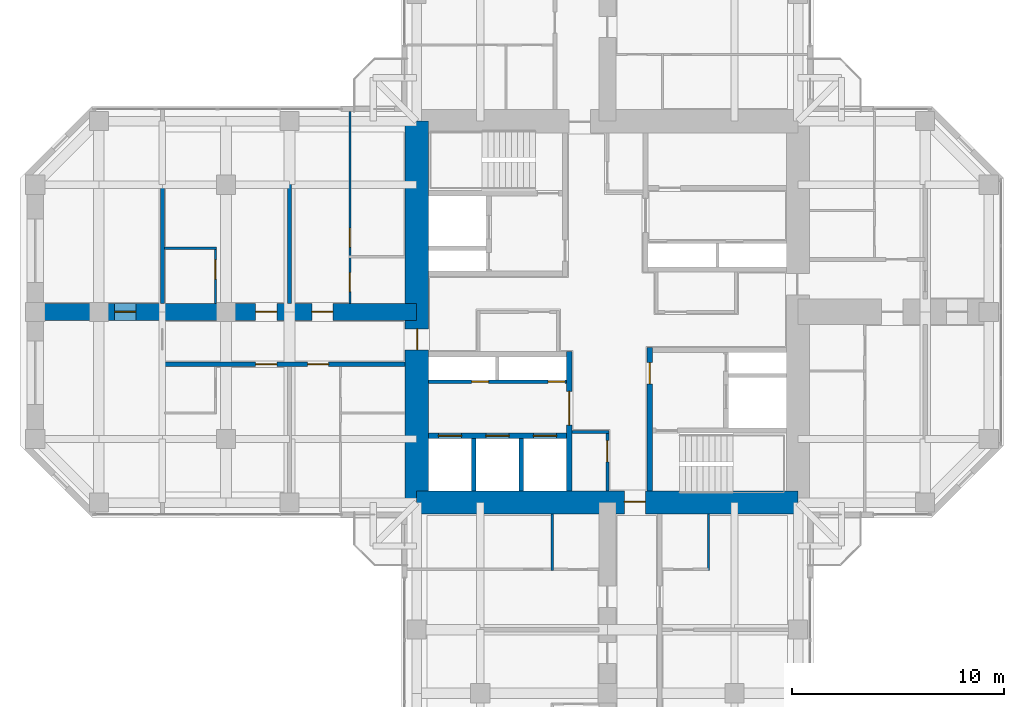
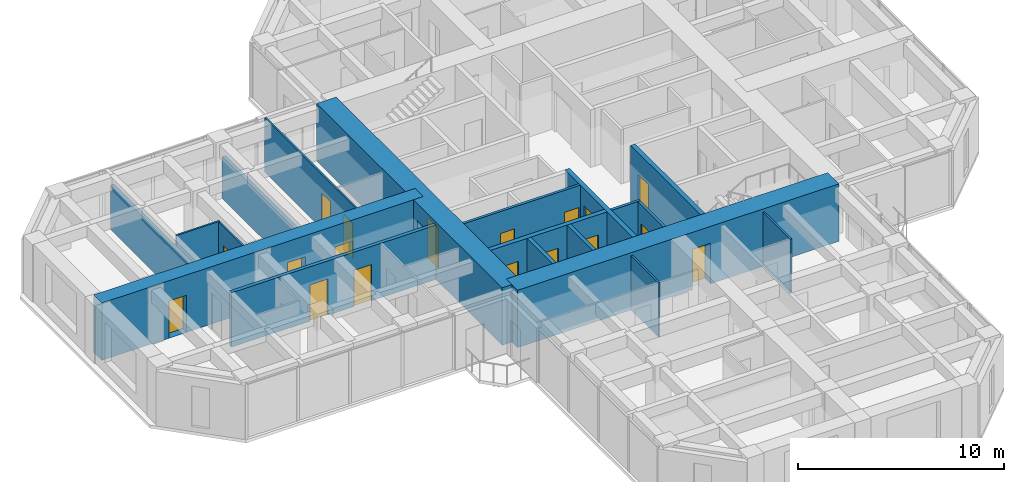
# One storey, part 9 of 14: 19 walls, 18 doors, 18 openings.
"""IFC4 building model written with IfcOpenShell, lengths in metres."""

import ifcopenshell
import ifcopenshell.guid

model = None  # the IFC model being written
_history = None  # IfcOwnerHistory: only IFC2X3 demands one
_inside = {}  # id of a spatial element -> (the spatial element, [elements in it])
_under = {}  # id of a project, library or spatial element -> (it, [spatial elements below it])
_declared = {}  # id of a project -> (the project, [libraries it declares])
_typed = {}  # id of a type object -> (the type object, [elements of that type])
_made_of = {}  # id of a material, layer set ... -> (it, [elements and type objects made of it])


def new_model(schema):
    """Start an empty IFC model of exactly this schema.

    Asked for "IFC4X3", IfcOpenShell would pick the latest addendum, in which some entities
    have other attributes; the version numbers below select the first issue.
    IFC2X3 requires an IfcOwnerHistory on every rooted entity: one is made here for all.
    """
    global model, _history
    if schema == "IFC4X3":
        model = ifcopenshell.file(schema_version=(4, 3, 0, 0))
    else:
        model = ifcopenshell.file(schema=schema)
    _inside.clear()
    _under.clear()
    _declared.clear()
    _typed.clear()
    _made_of.clear()
    _history = None
    if model.schema == "IFC2X3":
        org = make("IfcOrganization", Name="unknown")
        user = make(
            "IfcPersonAndOrganization",
            ThePerson=make("IfcPerson", FamilyName="unknown"),
            TheOrganization=org,
        )
        app = make(
            "IfcApplication",
            ApplicationDeveloper=org,
            Version="unknown",
            ApplicationFullName="unknown",
            ApplicationIdentifier="unknown",
        )
        _history = make(
            "IfcOwnerHistory",
            OwningUser=user,
            OwningApplication=app,
            ChangeAction="ADDED",
            CreationDate=0,
        )
    return model


def make(cls, **values):
    """One entity of the class cls with the attributes given. An attribute that is None is left unset."""
    return model.create_entity(
        cls, **{name: value for name, value in values.items() if value is not None}
    )


def rooted(cls, **values):
    """An entity with a GlobalId (a new one), such as an element, a storey or a relation."""
    return make(cls, GlobalId=ifcopenshell.guid.new(), OwnerHistory=_history, **values)


def si_unit(unit_type, name, prefix=None):
    """IfcSIUnit, for example si_unit("LENGTHUNIT", "METRE", prefix="MILLI")."""
    return make("IfcSIUnit", UnitType=unit_type, Prefix=prefix, Name=name)


def assignment(units):
    """IfcUnitAssignment: the units of a project."""
    return None if units is None else make("IfcUnitAssignment", Units=units)


def point(xyz):
    """IfcCartesianPoint."""
    return None if xyz is None else make("IfcCartesianPoint", Coordinates=xyz)


def direction(xyz):
    """IfcDirection."""
    return None if xyz is None else make("IfcDirection", DirectionRatios=xyz)


def frame(location, z_axis=None, x_axis=None):
    """IfcAxis2Placement3D, a coordinate frame: its origin and axes. An axis left out is left unset."""
    return make(
        "IfcAxis2Placement3D",
        Location=point(location),
        Axis=direction(z_axis),
        RefDirection=direction(x_axis),
    )


def frame_2d(location, x_axis=None):
    """IfcAxis2Placement2D, a coordinate frame in the plane: its origin and x axis."""
    return make(
        "IfcAxis2Placement2D", Location=point(location), RefDirection=direction(x_axis)
    )


def origin():
    """The frame at (0, 0, 0) with its axes left unset."""
    return frame((0.0, 0.0, 0.0))


def place(relative_to, where):
    """IfcLocalPlacement: puts the frame where relative to a parent placement (None: the world)."""
    return make(
        "IfcLocalPlacement", PlacementRelTo=relative_to, RelativePlacement=where
    )


def context(
    kind, dimensions, precision=None, world=None, true_north=None, identifier=None
):
    """IfcGeometricRepresentationContext, for example the 3D "Model" context."""
    return make(
        "IfcGeometricRepresentationContext",
        ContextIdentifier=identifier,
        ContextType=kind,
        CoordinateSpaceDimension=dimensions,
        Precision=precision,
        WorldCoordinateSystem=world,
        TrueNorth=true_north,
    )


def subcontext(parent, identifier, kind, view, scale=None):
    """IfcGeometricRepresentationSubContext, for example "Body" below "Model"."""
    return make(
        "IfcGeometricRepresentationSubContext",
        ContextIdentifier=identifier,
        ContextType=kind,
        ParentContext=parent,
        TargetScale=scale,
        TargetView=view,
    )


def project(units=None, contexts=None):
    """IfcProject with its units and contexts."""
    return rooted(
        "IfcProject",
        Name="project",
        RepresentationContexts=contexts,
        UnitsInContext=assignment(units),
    )


def spatial(cls, under=None, at=None, **own):
    """A site, building, storey or space (cls), placed at a placement, below another one or the project."""
    s = rooted(cls, ObjectPlacement=at, **own)
    if under is not None:
        _under.setdefault(under.id(), (under, []))[1].append(s)
    return s


def profile(cls, at=None, kind="AREA", **sizes):
    """A parametric profile (cls). Its sizes go by their IFC names, for example OverallWidth=200.0."""
    return make(cls, ProfileType=kind, Position=at, **sizes)


def rectangle(**sizes):
    """IfcRectangleProfileDef."""
    return profile("IfcRectangleProfileDef", **sizes)


def extrude(swept, where, along, depth):
    """IfcExtrudedAreaSolid: the profile swept, set in the frame where, extruded along a direction by depth."""
    return make(
        "IfcExtrudedAreaSolid",
        SweptArea=swept,
        Position=where,
        ExtrudedDirection=direction(along),
        Depth=depth,
    )


def shape(context_of_items, identifier, shape_type, items):
    """IfcShapeRepresentation: the items that make up one representation, for example the "Body"."""
    return make(
        "IfcShapeRepresentation",
        ContextOfItems=context_of_items,
        RepresentationIdentifier=identifier,
        RepresentationType=shape_type,
        Items=items,
    )


def material(Name=None, Category=None):
    """IfcMaterial."""
    return make("IfcMaterial", Name=Name, Category=Category)


def layer(
    of_material, thickness, ventilated=None, Name=None, Category=None, Priority=None
):
    """IfcMaterialLayer: one layer of a wall or slab, of a material (None: an air gap)."""
    return make(
        "IfcMaterialLayer",
        Material=of_material,
        LayerThickness=thickness,
        IsVentilated=ventilated,
        Name=Name,
        Category=Category,
        Priority=Priority,
    )


def layer_set(layers, Name=None):
    """IfcMaterialLayerSet."""
    return make("IfcMaterialLayerSet", MaterialLayers=layers, LayerSetName=Name)


def constituent(of_material, Name=None, Category=None, fraction=None):
    """IfcMaterialConstituent: one of the materials an element consists of."""
    return make(
        "IfcMaterialConstituent",
        Name=Name,
        Material=of_material,
        Fraction=fraction,
        Category=Category,
    )


def constituent_set(constituents=None, Name=None):
    """IfcMaterialConstituentSet."""
    return make(
        "IfcMaterialConstituentSet", Name=Name, MaterialConstituents=constituents
    )


def made_of(thing, what):
    """Note that an element or type object is made of a material, layer set ...; save() writes the relation."""
    if what is not None:
        _made_of.setdefault(what.id(), (what, []))[1].append(thing)
    return thing


def type_object(cls, material=None, **own):
    """A type object (cls), such as IfcWallType, which elements share."""
    return made_of(rooted(cls, **own), material)


def element(
    cls,
    number,
    at=None,
    inside=None,
    cuts=None,
    type_object=None,
    material=None,
    context=None,
    identifier="Body",
    shape_type=None,
    held_by="IfcProductDefinitionShape",
    body=None,
    shapes=None,
    **own,
):
    """One element of the class cls, such as IfcWall. Its Tag is "e" and its number.

    at: its placement. inside: the storey or other place that contains it. cuts: it is an
    opening in that element (IfcRelVoidsElement). A single representation is given by context,
    identifier, shape_type and body (its items); several are given by shapes. held_by: the class
    of the entity that holds the representations. save() writes the other relations.
    """
    e = rooted(cls, Tag="e%d" % number, ObjectPlacement=at, **own)
    if body is not None:
        shapes = [shape(context, identifier, shape_type, body)]
    if shapes is not None:
        e.Representation = make(held_by, Representations=shapes)
    if inside is not None:
        _inside.setdefault(inside.id(), (inside, []))[1].append(e)
    if cuts is not None:
        rooted(
            "IfcRelVoidsElement", RelatingBuildingElement=cuts, RelatedOpeningElement=e
        )
    if type_object is not None:
        _typed.setdefault(type_object.id(), (type_object, []))[1].append(e)
    return made_of(e, material)


def fill(opening, filler):
    """IfcRelFillsElement: the door or window that sits in an opening."""
    return rooted(
        "IfcRelFillsElement",
        RelatingOpeningElement=opening,
        RelatedBuildingElement=filler,
    )


def aggregate(whole, parts):
    """IfcRelAggregates: a whole, such as a stair, and the parts it consists of."""
    return rooted("IfcRelAggregates", RelatingObject=whole, RelatedObjects=parts)


def save(model, path):
    """Write the relations noted so far, then the file.

    IfcRelAggregates (storeys below a building ...), IfcRelContainedInSpatialStructure (elements
    in a storey), IfcRelDefinesByType, IfcRelAssociatesMaterial and IfcRelDeclares: one each for
    every whole, place, type object, material and project.
    """
    for whole, parts in _under.values():
        aggregate(whole, parts)
    for where, things in _inside.values():
        rooted(
            "IfcRelContainedInSpatialStructure",
            RelatedElements=things,
            RelatingStructure=where,
        )
    for kind, things in _typed.values():
        rooted("IfcRelDefinesByType", RelatedObjects=things, RelatingType=kind)
    for what, things in _made_of.values():
        rooted("IfcRelAssociatesMaterial", RelatedObjects=things, RelatingMaterial=what)
    for by, libraries in _declared.values():
        rooted("IfcRelDeclares", RelatingContext=by, RelatedDefinitions=libraries)
    model.write(path)


model = new_model("IFC4")

# Units and contexts
model_context = context("Model", 3, precision=1e-05, world=origin(), true_north=direction((0.0, 1.0)))
body_context = subcontext(model_context, "Body", "Model", "MODEL_VIEW")
ifc_project = project(units=[si_unit("LENGTHUNIT", "METRE"), si_unit("AREAUNIT", "SQUARE_METRE"), si_unit("VOLUMEUNIT", "CUBIC_METRE"), si_unit("PLANEANGLEUNIT", "RADIAN"), si_unit("MASSUNIT", "GRAM", prefix="KILO")], contexts=[model_context])

# Site, building, storey
site_placement = place(None, origin())
site = spatial("IfcSite", under=ifc_project, at=site_placement, CompositionType="ELEMENT")
building_placement = place(site_placement, origin())
building = spatial("IfcBuilding", under=site, at=building_placement, Name="Torre Cruceta", CompositionType="ELEMENT")
storey_placement = place(building_placement, frame((0.0, 0.0, 183.10009765625)))
storey = spatial("IfcBuildingStorey", under=building, at=storey_placement, Name="L45", CompositionType="ELEMENT", Elevation=183.10009765625)

# Walls
ifc_material_1 = material(Name="Water-resistant plasterboard on steel studs", Category="steel")
ifc_layer_1 = layer(ifc_material_1, 0.10009765625)
ifc_layer_set_1 = layer_set([ifc_layer_1], Name="Water-resistant plasterboard on steel studs")
wall_type_1 = type_object("IfcWallType", Name="BATHROOM WALL 100", PredefinedType="PARTITIONING", material=ifc_layer_set_1)
for number, where, z_axis, x_axis, name in (
    (1, (4.77490234375, -9.550048828125, 0.0), (0.0, 0.0, 1.0), (0.0, -1.0, 0.0), "PT4 L45-S-U1LBB"),
    (2, (-2.60009765625, -9.550048828125, 0.0), (0.0, 0.0, 1.0), (0.0, -1.0, 0.0), "PT4 L45-S-U1RBB"),
):
    element("IfcWall", number, at=place(storey_placement, frame(where, z_axis=z_axis, x_axis=x_axis)), inside=storey, type_object=wall_type_1, Name=name, PredefinedType="PARTITIONING", context=body_context, shape_type="SweptSolid", body=[
        extrude(rectangle(XDim=2.64990234375, YDim=0.10009765625, at=frame_2d((1.324951171875, 0.0))), origin(), (0.0, 0.0, 1.0), 3.219970703125),
    ])

# Wall, openings, doors
wall_1_placement = place(storey_placement, frame((-12.14990234375, 9.445068359375, 0.0), z_axis=(0.0, 0.0, 1.0), x_axis=(0.0, -1.0, 0.0)))
wall_1 = element("IfcWall", 3, at=wall_1_placement, inside=storey, type_object=wall_type_1, Name="PT4 L45-W-U1RBS", PredefinedType="PARTITIONING", context=body_context, shape_type="SweptSolid", body=[
    extrude(rectangle(XDim=9.045166015625, YDim=0.10009765625, at=frame_2d((4.5224609375, 0.0))), origin(), (0.0, 0.0, 1.0), 3.219970703125),
])
opening_1_placement = place(wall_1_placement, frame((5.4951171875, 0.0, 0.0)))
opening_1 = element("IfcOpeningElement", 4, at=opening_1_placement, cuts=wall_1, Name="Opening D7", PredefinedType="OPENING", context=body_context, shape_type="SweptSolid", body=[
    extrude(rectangle(XDim=0.89990234375, YDim=2.10009765625, at=frame_2d((0.449951171875, 1.050048828125))), frame((0.0, 0.06005859375, 0.0), z_axis=(0.0, -1.0, 0.0), x_axis=(1.0, 0.0, 0.0)), (0.0, 0.0, 1.0), 0.1201171875),
])
opening_2_placement = place(wall_1_placement, frame((7.594970703125, 0.0, 0.0)))
opening_2 = element("IfcOpeningElement", 5, at=opening_2_placement, cuts=wall_1, Name="Opening D7", PredefinedType="OPENING", context=body_context, shape_type="SweptSolid", body=[
    extrude(rectangle(XDim=0.89990234375, YDim=2.10009765625, at=frame_2d((0.449951171875, 1.050048828125))), frame((0.0, 0.06005859375, 0.0), z_axis=(0.0, -1.0, 0.0), x_axis=(1.0, 0.0, 0.0)), (0.0, 0.0, 1.0), 0.1201171875),
])
ifc_material_2 = material(Name="Timber door", Category="wood")
door_type_1 = type_object("IfcDoorType", Name="BATHROOM DOOR 900X2100", OperationType="SINGLE_SWING_LEFT", PredefinedType="DOOR", material=ifc_material_2)
door_1_placement = place(opening_1_placement, origin())
door_1 = element("IfcDoor", 6, at=door_1_placement, inside=storey, type_object=door_type_1, Name="D7 L45-W-U1RBS-D1", OperationType="SINGLE_SWING_RIGHT", OverallHeight=2.10009765625, OverallWidth=0.89990234375, PredefinedType="DOOR", context=body_context, shape_type="SweptSolid", body=[
    extrude(rectangle(XDim=0.89990234375, YDim=2.10009765625, at=frame_2d((0.449951171875, 1.050048828125))), frame((0.0, 0.02490234375, 0.0), z_axis=(0.0, -1.0, 0.0), x_axis=(1.0, 0.0, 0.0)), (0.0, 0.0, 1.0), 0.050048828125),
])
fill(opening_1, door_1)
door_2_placement = place(opening_2_placement, origin())
door_2 = element("IfcDoor", 7, at=door_2_placement, inside=storey, type_object=door_type_1, Name="D7 L45-W-U1RBS-D2", OperationType="SINGLE_SWING_RIGHT", OverallHeight=2.10009765625, OverallWidth=0.89990234375, PredefinedType="DOOR", context=body_context, shape_type="SweptSolid", body=[
    extrude(rectangle(XDim=0.89990234375, YDim=2.10009765625, at=frame_2d((0.449951171875, 1.050048828125))), frame((0.0, 0.02490234375, 0.0), z_axis=(0.0, -1.0, 0.0), x_axis=(1.0, 0.0, 0.0)), (0.0, 0.0, 1.0), 0.050048828125),
])
fill(opening_2, door_2)

# Wall
wall_2_placement = place(storey_placement, frame((-18.449951171875, 3.0, 0.0), z_axis=(0.0, 0.0, 1.0), x_axis=(-1.0, 0.0, 0.0)))
element("IfcWall", 8, at=wall_2_placement, inside=storey, type_object=wall_type_1, Name="PT4 L45-W-U2RBB", PredefinedType="PARTITIONING", context=body_context, shape_type="SweptSolid", body=[
    extrude(rectangle(XDim=2.449951171875, YDim=0.10009765625, at=frame_2d((1.22509765625, 0.0))), origin(), (0.0, 0.0, 1.0), 3.219970703125),
])

# Wall, opening, door
wall_3_placement = place(storey_placement, frame((-18.5, 3.0, 0.0), z_axis=(0.0, 0.0, 1.0), x_axis=(0.0, -1.0, 0.0)))
wall_3 = element("IfcWall", 9, at=wall_3_placement, inside=storey, type_object=wall_type_1, Name="PT4 L45-W-U2RBS", PredefinedType="PARTITIONING", context=body_context, shape_type="SweptSolid", body=[
    extrude(rectangle(XDim=2.60009765625, YDim=0.10009765625, at=frame_2d((1.300048828125, 0.0))), origin(), (0.0, 0.0, 1.0), 3.219970703125),
])
opening_3_placement = place(wall_3_placement, frame((0.550048828125, 0.0, 0.0)))
opening_3 = element("IfcOpeningElement", 10, at=opening_3_placement, cuts=wall_3, Name="Opening D7", PredefinedType="OPENING", context=body_context, shape_type="SweptSolid", body=[
    extrude(rectangle(XDim=0.89990234375, YDim=2.10009765625, at=frame_2d((0.449951171875, 1.050048828125))), frame((0.0, 0.06005859375, 0.0), z_axis=(0.0, -1.0, 0.0), x_axis=(1.0, 0.0, 0.0)), (0.0, 0.0, 1.0), 0.1201171875),
])
door_3_placement = place(opening_3_placement, frame((0.89990234375, 0.0, 0.0), z_axis=(0.0, 0.0, 1.0), x_axis=(-1.0, 0.0, 0.0)))
door_3 = element("IfcDoor", 11, at=door_3_placement, inside=storey, type_object=door_type_1, Name="D7 L45-W-U2RBS-D1", OperationType="SINGLE_SWING_RIGHT", OverallHeight=2.10009765625, OverallWidth=0.89990234375, PredefinedType="DOOR", context=body_context, shape_type="SweptSolid", body=[
    extrude(rectangle(XDim=0.89990234375, YDim=2.10009765625, at=frame_2d((0.449951171875, 1.050048828125))), frame((0.0, 0.025146484375, 0.0), z_axis=(0.0, -1.0, 0.0), x_axis=(1.0, 0.0, 0.0)), (0.0, 0.0, 1.0), 0.050048828125),
])
fill(opening_3, door_3)

ifc_material_3 = material(Name="Concrete G60 (fck 60 MPa)", Category="concrete")
ifc_layer_2 = layer(ifc_material_3, 0.25)
ifc_layer_set_2 = layer_set([ifc_layer_2], Name="Concrete G60 (fck 60 MPa)")
wall_type_2 = type_object("IfcWallType", Name="CORE INNER WALL 250 G60", PredefinedType="SHEAR", material=ifc_layer_set_2)
wall_4_placement = place(storey_placement, frame((-1.800048828125, -1.875, 0.0), z_axis=(0.0, 0.0, 1.0), x_axis=(0.0, -1.0, 0.0)))
wall_4 = element("IfcWall", 12, at=wall_4_placement, inside=storey, type_object=wall_type_2, Name="CW4 L45 SW-CU", PredefinedType="SHEAR", context=body_context, shape_type="SweptSolid", body=[
    extrude(rectangle(XDim=6.574951171875, YDim=0.25, at=frame_2d((3.28759765625, 0.0))), origin(), (0.0, 0.0, 1.0), 3.39990234375),
])
opening_4_placement = place(wall_4_placement, frame((1.875, 0.0, 0.0)))
opening_4 = element("IfcOpeningElement", 13, at=opening_4_placement, cuts=wall_4, Name="Opening D8", PredefinedType="OPENING", context=body_context, shape_type="SweptSolid", body=[
    extrude(rectangle(XDim=1.60009765625, YDim=2.39990234375, at=frame_2d((0.800048828125, 1.199951171875))), frame((0.0, 0.135009765625, 0.0), z_axis=(0.0, -1.0, 0.0), x_axis=(1.0, 0.0, 0.0)), (0.0, 0.0, 1.0), 0.27001953125),
])
ifc_material_4 = material(Name="Steel DX51D", Category="steel")
ifc_constituent_1 = constituent(ifc_material_4, Name="Leaf and frame")
ifc_material_5 = material(Name="Polyester powder coating", Category="paint")
ifc_constituent_2 = constituent(ifc_material_5, Name="Finish")
ifc_material_6 = material(Name="Fire-resisting glass", Category="glass")
ifc_constituent_3 = constituent(ifc_material_6, Name="Vision panel")
ifc_constituent_set_1 = constituent_set(constituents=[ifc_constituent_1, ifc_constituent_2, ifc_constituent_3], Name="Steel fire door with vision panels")
door_type_2 = type_object("IfcDoorType", Name="LIFT LOBBY DOUBLE DOOR 1600X2400", OperationType="DOUBLE_DOOR_DOUBLE_SWING", PredefinedType="DOOR", material=ifc_constituent_set_1)
door_4_placement = place(opening_4_placement, origin())
door_4 = element("IfcDoor", 14, at=door_4_placement, inside=storey, type_object=door_type_2, Name="D8 L45 SW-LOBBY", OperationType="DOUBLE_DOOR_DOUBLE_SWING", OverallHeight=2.39990234375, OverallWidth=1.60009765625, PredefinedType="DOOR", context=body_context, shape_type="SweptSolid", body=[
    extrude(rectangle(XDim=1.60009765625, YDim=2.39990234375, at=frame_2d((0.800048828125, 1.199951171875))), frame((0.0, 0.02490234375, 0.0), z_axis=(0.0, -1.0, 0.0), x_axis=(1.0, 0.0, 0.0)), (0.0, 0.0, 1.0), 0.050048828125),
])
fill(opening_4, door_4)

# Wall, openings, doors
wall_5_placement = place(storey_placement, frame((-1.925048828125, -5.85009765625, 0.0), z_axis=(0.0, 0.0, 1.0), x_axis=(-1.0, 0.0, 0.0)))
wall_5 = element("IfcWall", 15, at=wall_5_placement, inside=storey, type_object=wall_type_2, Name="CW4 L45 SW-LV", PredefinedType="SHEAR", context=body_context, shape_type="SweptSolid", body=[
    extrude(rectangle(XDim=6.52490234375, YDim=0.25, at=frame_2d((3.262451171875, 0.0))), origin(), (0.0, 0.0, 1.0), 3.39990234375),
])
opening_5_placement = place(wall_5_placement, frame((0.470947265625, 0.0, 0.0)))
opening_5 = element("IfcOpeningElement", 16, at=opening_5_placement, cuts=wall_5, Name="Opening LD1", PredefinedType="OPENING", context=body_context, shape_type="SweptSolid", body=[
    extrude(rectangle(XDim=1.10009765625, YDim=2.199951171875, at=frame_2d((0.550048828125, 1.10009765625))), frame((0.0, 0.135009765625, 0.0), z_axis=(0.0, -1.0, 0.0), x_axis=(1.0, 0.0, 0.0)), (0.0, 0.0, 1.0), 0.27001953125),
])
opening_6_placement = place(wall_5_placement, frame((2.71240234375, 0.0, 0.0)))
opening_6 = element("IfcOpeningElement", 17, at=opening_6_placement, cuts=wall_5, Name="Opening LD1", PredefinedType="OPENING", context=body_context, shape_type="SweptSolid", body=[
    extrude(rectangle(XDim=1.10009765625, YDim=2.199951171875, at=frame_2d((0.550048828125, 1.10009765625))), frame((0.0, 0.135009765625, 0.0), z_axis=(0.0, -1.0, 0.0), x_axis=(1.0, 0.0, 0.0)), (0.0, 0.0, 1.0), 0.27001953125),
])
opening_7_placement = place(wall_5_placement, frame((4.9541015625, 0.0, 0.0)))
opening_7 = element("IfcOpeningElement", 18, at=opening_7_placement, cuts=wall_5, Name="Opening LD1", PredefinedType="OPENING", context=body_context, shape_type="SweptSolid", body=[
    extrude(rectangle(XDim=1.10009765625, YDim=2.199951171875, at=frame_2d((0.550048828125, 1.10009765625))), frame((0.0, 0.135009765625, 0.0), z_axis=(0.0, -1.0, 0.0), x_axis=(1.0, 0.0, 0.0)), (0.0, 0.0, 1.0), 0.27001953125),
])
ifc_material_7 = material(Name="Stainless steel 1.4401", Category="steel")
door_type_3 = type_object("IfcDoorType", Name="LIFT LANDING DOOR 1100X2200", OperationType="DOUBLE_DOOR_SLIDING", PredefinedType="DOOR", material=ifc_material_7)
door_5_placement = place(opening_5_placement, origin())
door_5 = element("IfcDoor", 19, at=door_5_placement, inside=storey, type_object=door_type_3, Name="Lift landing door R1", OperationType="DOUBLE_DOOR_SLIDING", OverallHeight=2.199951171875, OverallWidth=1.10009765625, PredefinedType="DOOR", context=body_context, shape_type="SweptSolid", body=[
    extrude(rectangle(XDim=1.10009765625, YDim=2.199951171875, at=frame_2d((0.550048828125, 1.10009765625))), frame((0.0, 0.02490234375, 0.0), z_axis=(0.0, -1.0, 0.0), x_axis=(1.0, 0.0, 0.0)), (0.0, 0.0, 1.0), 0.050048828125),
])
fill(opening_5, door_5)
door_6_placement = place(opening_6_placement, origin())
door_6 = element("IfcDoor", 20, at=door_6_placement, inside=storey, type_object=door_type_3, Name="Lift landing door R2", OperationType="DOUBLE_DOOR_SLIDING", OverallHeight=2.199951171875, OverallWidth=1.10009765625, PredefinedType="DOOR", context=body_context, shape_type="SweptSolid", body=[
    extrude(rectangle(XDim=1.10009765625, YDim=2.199951171875, at=frame_2d((0.550048828125, 1.10009765625))), frame((0.0, 0.02490234375, 0.0), z_axis=(0.0, -1.0, 0.0), x_axis=(1.0, 0.0, 0.0)), (0.0, 0.0, 1.0), 0.050048828125),
])
fill(opening_6, door_6)
door_7_placement = place(opening_7_placement, origin())
door_7 = element("IfcDoor", 21, at=door_7_placement, inside=storey, type_object=door_type_3, Name="Lift landing door R3", OperationType="DOUBLE_DOOR_SLIDING", OverallHeight=2.199951171875, OverallWidth=1.10009765625, PredefinedType="DOOR", context=body_context, shape_type="SweptSolid", body=[
    extrude(rectangle(XDim=1.10009765625, YDim=2.199951171875, at=frame_2d((0.550048828125, 1.10009765625))), frame((0.0, 0.02490234375, 0.0), z_axis=(0.0, -1.0, 0.0), x_axis=(1.0, 0.0, 0.0)), (0.0, 0.0, 1.0), 0.050048828125),
])
fill(opening_7, door_7)

# Wall, opening, door
wall_6_placement = place(storey_placement, frame((2.0, -1.675048828125, 0.0), z_axis=(0.0, 0.0, 1.0), x_axis=(0.0, -1.0, 0.0)))
wall_6 = element("IfcWall", 22, at=wall_6_placement, inside=storey, type_object=wall_type_2, Name="CW4 L45 SE-CU", PredefinedType="SHEAR", context=body_context, shape_type="SweptSolid", body=[
    extrude(rectangle(XDim=6.77490234375, YDim=0.25, at=frame_2d((3.387451171875, 0.0))), origin(), (0.0, 0.0, 1.0), 3.39990234375),
])
opening_8_placement = place(wall_6_placement, frame((0.72509765625, 0.0, 0.0)))
opening_8 = element("IfcOpeningElement", 23, at=opening_8_placement, cuts=wall_6, Name="Opening D3", PredefinedType="OPENING", context=body_context, shape_type="SweptSolid", body=[
    extrude(rectangle(XDim=1.0, YDim=2.10009765625, at=frame_2d((0.5, 1.050048828125))), frame((0.0, 0.135009765625, 0.0), z_axis=(0.0, -1.0, 0.0), x_axis=(1.0, 0.0, 0.0)), (0.0, 0.0, 1.0), 0.27001953125),
])
ifc_material_8 = material(Name="Steel DX51D", Category="steel")
ifc_constituent_4 = constituent(ifc_material_8, Name="Leaf and frame")
ifc_material_9 = material(Name="Polyester powder coating", Category="paint")
ifc_constituent_5 = constituent(ifc_material_9, Name="Finish")
ifc_constituent_set_2 = constituent_set(constituents=[ifc_constituent_4, ifc_constituent_5], Name="Steel fire door")
door_type_4 = type_object("IfcDoorType", Name="FIRE DOOR 1000X2100", OperationType="SINGLE_SWING_LEFT", PredefinedType="DOOR", material=ifc_constituent_set_2)
door_8_placement = place(opening_8_placement, origin())
door_8 = element("IfcDoor", 24, at=door_8_placement, inside=storey, type_object=door_type_4, Name="D3 L45 SE-LOBBY", OperationType="SINGLE_SWING_LEFT", OverallHeight=2.10009765625, OverallWidth=1.0, PredefinedType="DOOR", context=body_context, shape_type="SweptSolid", body=[
    extrude(rectangle(XDim=1.0, YDim=2.10009765625, at=frame_2d((0.5, 1.050048828125))), frame((0.0, 0.02490234375, 0.0), z_axis=(0.0, -1.0, 0.0), x_axis=(1.0, 0.0, 0.0)), (0.0, 0.0, 1.0), 0.050048828125),
])
fill(opening_8, door_8)

ifc_material_10 = material(Name="Concrete G60 (fck 60 MPa)", Category="concrete")
ifc_layer_3 = layer(ifc_material_10, 1.10009765625)
ifc_layer_set_3 = layer_set([ifc_layer_3], Name="Concrete G60 (fck 60 MPa)")
wall_type_3 = type_object("IfcWallType", Name="CORE WALL 1100 G60", PredefinedType="SHEAR", material=ifc_layer_set_3)
wall_7_placement = place(storey_placement, frame((-9.0, -9.0, 0.0), z_axis=(0.0, 0.0, 1.0), x_axis=(1.0, 0.0, 0.0)))
wall_7 = element("IfcWall", 25, at=wall_7_placement, inside=storey, type_object=wall_type_3, Name="CW2 L45 CW-S", PredefinedType="SHEAR", context=body_context, shape_type="SweptSolid", body=[
    extrude(rectangle(XDim=18.0, YDim=1.10009765625, at=frame_2d((9.0, 0.0))), origin(), (0.0, 0.0, 1.0), 3.39990234375),
])
opening_9_placement = place(wall_7_placement, frame((9.800048828125, 0.0, 0.0)))
opening_9 = element("IfcOpeningElement", 26, at=opening_9_placement, cuts=wall_7, Name="Opening D4", PredefinedType="OPENING", context=body_context, shape_type="SweptSolid", body=[
    extrude(rectangle(XDim=1.0, YDim=2.39990234375, at=frame_2d((0.5, 1.199951171875))), frame((0.0, 0.56005859375, 0.0), z_axis=(0.0, -1.0, 0.0), x_axis=(1.0, 0.0, 0.0)), (0.0, 0.0, 1.0), 1.1201171875),
])
ifc_material_11 = material(Name="Steel DX51D", Category="steel")
ifc_constituent_6 = constituent(ifc_material_11, Name="Leaf and frame")
ifc_material_12 = material(Name="Polyester powder coating", Category="paint")
ifc_constituent_7 = constituent(ifc_material_12, Name="Finish")
ifc_constituent_set_3 = constituent_set(constituents=[ifc_constituent_6, ifc_constituent_7], Name="Steel fire door")
door_type_5 = type_object("IfcDoorType", Name="CORE ARM DOOR 1000X2400", OperationType="SINGLE_SWING_RIGHT", PredefinedType="DOOR", material=ifc_constituent_set_3)
door_9_placement = place(opening_9_placement, origin())
door_9 = element("IfcDoor", 27, at=door_9_placement, inside=storey, type_object=door_type_5, Name="D4 L45 CW-S", OperationType="SINGLE_SWING_RIGHT", OverallHeight=2.39990234375, OverallWidth=1.0, PredefinedType="DOOR", context=body_context, shape_type="SweptSolid", body=[
    extrude(rectangle(XDim=1.0, YDim=2.39990234375, at=frame_2d((0.5, 1.199951171875))), frame((0.0, 0.05517578125, 0.0), z_axis=(0.0, -1.0, 0.0), x_axis=(1.0, 0.0, 0.0)), (0.0, 0.0, 1.0), 0.050048828125),
])
fill(opening_9, door_9)

wall_8_placement = place(storey_placement, frame((-9.0, 9.0, 0.0), z_axis=(0.0, 0.0, 1.0), x_axis=(0.0, -1.0, 0.0)))
wall_8 = element("IfcWall", 28, at=wall_8_placement, inside=storey, type_object=wall_type_3, Name="CW2 L45 CW-W", PredefinedType="SHEAR", context=body_context, shape_type="SweptSolid", body=[
    extrude(rectangle(XDim=18.0, YDim=1.10009765625, at=frame_2d((9.0, 0.0))), origin(), (0.0, 0.0, 1.0), 3.39990234375),
])
opening_10_placement = place(wall_8_placement, frame((9.800048828125, 0.0, 0.0)))
opening_10 = element("IfcOpeningElement", 29, at=opening_10_placement, cuts=wall_8, Name="Opening D4", PredefinedType="OPENING", context=body_context, shape_type="SweptSolid", body=[
    extrude(rectangle(XDim=1.0, YDim=2.39990234375, at=frame_2d((0.5, 1.199951171875))), frame((0.0, 0.56005859375, 0.0), z_axis=(0.0, -1.0, 0.0), x_axis=(1.0, 0.0, 0.0)), (0.0, 0.0, 1.0), 1.1201171875),
])
door_10_placement = place(opening_10_placement, origin())
door_10 = element("IfcDoor", 30, at=door_10_placement, inside=storey, type_object=door_type_5, Name="D4 L45 CW-W", OperationType="SINGLE_SWING_RIGHT", OverallHeight=2.39990234375, OverallWidth=1.0, PredefinedType="DOOR", context=body_context, shape_type="SweptSolid", body=[
    extrude(rectangle(XDim=1.0, YDim=2.39990234375, at=frame_2d((0.5, 1.199951171875))), frame((0.0, 0.05517578125, 0.0), z_axis=(0.0, -1.0, 0.0), x_axis=(1.0, 0.0, 0.0)), (0.0, 0.0, 1.0), 0.050048828125),
])
fill(opening_10, door_10)

# Wall, openings, doors
ifc_material_13 = material(Name="Concrete G25 (fck 25 MPa)", Category="concrete")
ifc_layer_4 = layer(ifc_material_13, 0.199951171875)
ifc_layer_set_4 = layer_set([ifc_layer_4], Name="Concrete G25 (fck 25 MPa)")
wall_type_4 = type_object("IfcWallType", Name="CORRIDOR WALL 200", PredefinedType="SOLIDWALL", material=ifc_layer_set_4)
wall_9_placement = place(storey_placement, frame((-9.550048828125, -2.47509765625, 0.0), z_axis=(0.0, 0.0, 1.0), x_axis=(-1.0, 0.0, 0.0)))
wall_9 = element("IfcWall", 31, at=wall_9_placement, inside=storey, type_object=wall_type_4, Name="PT3 L45-W-CL", PredefinedType="SOLIDWALL", context=body_context, shape_type="SweptSolid", body=[
    extrude(rectangle(XDim=11.449951171875, YDim=0.199951171875, at=frame_2d((5.72509765625, 0.0))), origin(), (0.0, 0.0, 1.0), 3.219970703125),
])
opening_11_placement = place(wall_9_placement, frame((3.60009765625, 0.0, 0.0)))
opening_11 = element("IfcOpeningElement", 32, at=opening_11_placement, cuts=wall_9, Name="Opening D6", PredefinedType="OPENING", context=body_context, shape_type="SweptSolid", body=[
    extrude(rectangle(XDim=1.0, YDim=2.14990234375, at=frame_2d((0.5, 1.074951171875))), frame((0.0, 0.10986328125, 0.0), z_axis=(0.0, -1.0, 0.0), x_axis=(1.0, 0.0, 0.0)), (0.0, 0.0, 1.0), 0.219970703125),
])
opening_12_placement = place(wall_9_placement, frame((6.050048828125, 0.0, 0.0)))
opening_12 = element("IfcOpeningElement", 33, at=opening_12_placement, cuts=wall_9, Name="Opening D6", PredefinedType="OPENING", context=body_context, shape_type="SweptSolid", body=[
    extrude(rectangle(XDim=1.0, YDim=2.14990234375, at=frame_2d((0.5, 1.074951171875))), frame((0.0, 0.10986328125, 0.0), z_axis=(0.0, -1.0, 0.0), x_axis=(1.0, 0.0, 0.0)), (0.0, 0.0, 1.0), 0.219970703125),
])
ifc_material_14 = material(Name="Timber fire door", Category="wood")
door_type_6 = type_object("IfcDoorType", Name="UNIT ENTRANCE DOOR 1000X2150", OperationType="SINGLE_SWING_LEFT", PredefinedType="DOOR", material=ifc_material_14)
door_11_placement = place(opening_11_placement, origin())
door_11 = element("IfcDoor", 34, at=door_11_placement, inside=storey, type_object=door_type_6, Name="D6 L45-W-CL-D1", OperationType="SINGLE_SWING_LEFT", OverallHeight=2.14990234375, OverallWidth=1.0, PredefinedType="DOOR", context=body_context, shape_type="SweptSolid", body=[
    extrude(rectangle(XDim=1.0, YDim=2.14990234375, at=frame_2d((0.5, 1.074951171875))), frame((0.0, 0.02490234375, 0.0), z_axis=(0.0, -1.0, 0.0), x_axis=(1.0, 0.0, 0.0)), (0.0, 0.0, 1.0), 0.050048828125),
])
fill(opening_11, door_11)
door_12_placement = place(opening_12_placement, origin())
door_12 = element("IfcDoor", 35, at=door_12_placement, inside=storey, type_object=door_type_6, Name="D6 L45-W-CL-D2", OperationType="SINGLE_SWING_LEFT", OverallHeight=2.14990234375, OverallWidth=1.0, PredefinedType="DOOR", context=body_context, shape_type="SweptSolid", body=[
    extrude(rectangle(XDim=1.0, YDim=2.14990234375, at=frame_2d((0.5, 1.074951171875))), frame((0.0, 0.02490234375, 0.0), z_axis=(0.0, -1.0, 0.0), x_axis=(1.0, 0.0, 0.0)), (0.0, 0.0, 1.0), 0.050048828125),
])
fill(opening_12, door_12)

# Walls
ifc_material_15 = material(Name="Concrete G35 (fck 35 MPa)", Category="concrete")
ifc_layer_5 = layer(ifc_material_15, 0.199951171875)
ifc_layer_set_5 = layer_set([ifc_layer_5], Name="Concrete G35 (fck 35 MPa)")
wall_type_5 = type_object("IfcWallType", Name="LIFT SHAFT WALL 200", PredefinedType="PARTITIONING", material=ifc_layer_set_5)
for number, where, z_axis, x_axis, name in (
    (36, (-4.066650390625, -5.97509765625, 0.0), (0.0, 0.0, 1.0), (0.0, -1.0, 0.0), "SW1 L45 SW-LS1"),
    (37, (-6.308349609375, -5.97509765625, 0.0), (0.0, 0.0, 1.0), (0.0, -1.0, 0.0), "SW1 L45 SW-LS2"),
):
    element("IfcWall", number, at=place(storey_placement, frame(where, z_axis=z_axis, x_axis=x_axis)), inside=storey, type_object=wall_type_5, Name=name, PredefinedType="PARTITIONING", context=body_context, shape_type="SweptSolid", body=[
        extrude(rectangle(XDim=2.474853515625, YDim=0.199951171875, at=frame_2d((1.2373046875, 0.0))), origin(), (0.0, 0.0, 1.0), 3.39990234375),
    ])

# Wall, opening, door
ifc_material_16 = material(Name="Plasterboard on steel studs", Category="steel")
ifc_layer_6 = layer(ifc_material_16, 0.14990234375)
ifc_layer_set_6 = layer_set([ifc_layer_6], Name="Plasterboard on steel studs")
wall_type_6 = type_object("IfcWallType", Name="PARTITION 150", PredefinedType="PARTITIONING", material=ifc_layer_set_6)
wall_10_placement = place(storey_placement, frame((0.0, -5.675048828125, 0.0), z_axis=(0.0, 0.0, 1.0), x_axis=(0.0, -1.0, 0.0)))
wall_10 = element("IfcWall", 38, at=wall_10_placement, inside=storey, type_object=wall_type_6, Name="PT1 L45-CORE-LEGS-W-W1", PredefinedType="PARTITIONING", context=body_context, shape_type="SweptSolid", body=[
    extrude(rectangle(XDim=2.77490234375, YDim=0.14990234375, at=frame_2d((1.387451171875, 0.0))), origin(), (0.0, 0.0, 1.0), 3.219970703125),
])
opening_13_placement = place(wall_10_placement, frame((0.39990234375, 0.0, 0.0)))
opening_13 = element("IfcOpeningElement", 39, at=opening_13_placement, cuts=wall_10, Name="Opening D3", PredefinedType="OPENING", context=body_context, shape_type="SweptSolid", body=[
    extrude(rectangle(XDim=1.0, YDim=2.10009765625, at=frame_2d((0.5, 1.050048828125))), frame((0.0, 0.0849609375, 0.0), z_axis=(0.0, -1.0, 0.0), x_axis=(1.0, 0.0, 0.0)), (0.0, 0.0, 1.0), 0.169921875),
])
door_13_placement = place(opening_13_placement, frame((1.0, 0.0, 0.0), z_axis=(0.0, 0.0, 1.0), x_axis=(-1.0, 0.0, 0.0)))
door_13 = element("IfcDoor", 40, at=door_13_placement, inside=storey, type_object=door_type_4, Name="D3 L45-CORE-LEGS-W-W1-D1", OperationType="SINGLE_SWING_RIGHT", OverallHeight=2.10009765625, OverallWidth=1.0, PredefinedType="DOOR", context=body_context, shape_type="SweptSolid", body=[
    extrude(rectangle(XDim=1.0, YDim=2.10009765625, at=frame_2d((0.5, 1.050048828125))), frame((0.0, 0.025146484375, 0.0), z_axis=(0.0, -1.0, 0.0), x_axis=(1.0, 0.0, 0.0)), (0.0, 0.0, 1.0), 0.050048828125),
])
fill(opening_13, door_13)

# Wall
wall_11_placement = place(storey_placement, frame((-1.675048828125, -5.675048828125, 0.0), z_axis=(0.0, 0.0, 1.0), x_axis=(1.0, 0.0, 0.0)))
element("IfcWall", 41, at=wall_11_placement, inside=storey, type_object=wall_type_6, Name="PT1 L45-CORE-LEGS-W-W2", PredefinedType="PARTITIONING", context=body_context, shape_type="SweptSolid", body=[
    extrude(rectangle(XDim=1.75, YDim=0.14990234375, at=frame_2d((0.875, 0.0))), origin(), (0.0, 0.0, 1.0), 3.219970703125),
])

# Wall, openings, doors
ifc_material_17 = material(Name="Concrete block masonry", Category="masonry")
ifc_layer_7 = layer(ifc_material_17, 0.14990234375)
ifc_layer_set_7 = layer_set([ifc_layer_7], Name="Concrete block masonry")
wall_type_7 = type_object("IfcWallType", Name="RISER WALL 150", PredefinedType="PARTITIONING", material=ifc_layer_set_7)
wall_12_placement = place(storey_placement, frame((-1.925048828125, -3.300048828125, 0.0), z_axis=(0.0, 0.0, 1.0), x_axis=(-1.0, 0.0, 0.0)))
wall_12 = element("IfcWall", 42, at=wall_12_placement, inside=storey, type_object=wall_type_7, Name="SW7 L45 SW-RV", PredefinedType="PARTITIONING", context=body_context, shape_type="SweptSolid", body=[
    extrude(rectangle(XDim=6.52490234375, YDim=0.14990234375, at=frame_2d((3.262451171875, 0.0))), origin(), (0.0, 0.0, 1.0), 3.39990234375),
])
opening_14_placement = place(wall_12_placement, frame((0.074951171875, 0.0, 0.0)))
opening_14 = element("IfcOpeningElement", 43, at=opening_14_placement, cuts=wall_12, Name="Opening D5", PredefinedType="OPENING", context=body_context, shape_type="SweptSolid", body=[
    extrude(rectangle(XDim=0.800048828125, YDim=2.10009765625, at=frame_2d((0.39990234375, 1.050048828125))), frame((0.0, 0.0849609375, 0.0), z_axis=(0.0, -1.0, 0.0), x_axis=(1.0, 0.0, 0.0)), (0.0, 0.0, 1.0), 0.169921875),
])
opening_15_placement = place(wall_12_placement, frame((3.675048828125, 0.0, 0.0)))
opening_15 = element("IfcOpeningElement", 44, at=opening_15_placement, cuts=wall_12, Name="Opening D5", PredefinedType="OPENING", context=body_context, shape_type="SweptSolid", body=[
    extrude(rectangle(XDim=0.800048828125, YDim=2.10009765625, at=frame_2d((0.39990234375, 1.050048828125))), frame((0.0, 0.0849609375, 0.0), z_axis=(0.0, -1.0, 0.0), x_axis=(1.0, 0.0, 0.0)), (0.0, 0.0, 1.0), 0.169921875),
])
ifc_material_18 = material(Name="Steel DX51D", Category="steel")
ifc_constituent_8 = constituent(ifc_material_18, Name="Leaf and frame")
ifc_material_19 = material(Name="Polyester powder coating", Category="paint")
ifc_constituent_9 = constituent(ifc_material_19, Name="Finish")
ifc_constituent_set_4 = constituent_set(constituents=[ifc_constituent_8, ifc_constituent_9], Name="Steel fire door")
door_type_7 = type_object("IfcDoorType", Name="RISER ACCESS DOOR 800X2100", OperationType="SINGLE_SWING_LEFT", PredefinedType="DOOR", material=ifc_constituent_set_4)
door_14_placement = place(opening_14_placement, frame((0.800048828125, 0.0, 0.0), z_axis=(0.0, 0.0, 1.0), x_axis=(-1.0, 0.0, 0.0)))
door_14 = element("IfcDoor", 45, at=door_14_placement, inside=storey, type_object=door_type_7, Name="D5 L45 SW-RISER1", OperationType="SINGLE_SWING_RIGHT", OverallHeight=2.10009765625, OverallWidth=0.800048828125, PredefinedType="DOOR", context=body_context, shape_type="SweptSolid", body=[
    extrude(rectangle(XDim=0.800048828125, YDim=2.10009765625, at=frame_2d((0.400146484375, 1.050048828125))), frame((0.0, 0.025146484375, 0.0), z_axis=(0.0, -1.0, 0.0), x_axis=(1.0, 0.0, 0.0)), (0.0, 0.0, 1.0), 0.050048828125),
])
fill(opening_14, door_14)
door_15_placement = place(opening_15_placement, frame((0.800048828125, 0.0, 0.0), z_axis=(0.0, 0.0, 1.0), x_axis=(-1.0, 0.0, 0.0)))
door_15 = element("IfcDoor", 46, at=door_15_placement, inside=storey, type_object=door_type_7, Name="D5 L45 SW-RISER2", OperationType="SINGLE_SWING_RIGHT", OverallHeight=2.10009765625, OverallWidth=0.800048828125, PredefinedType="DOOR", context=body_context, shape_type="SweptSolid", body=[
    extrude(rectangle(XDim=0.800048828125, YDim=2.10009765625, at=frame_2d((0.400146484375, 1.050048828125))), frame((0.0, 0.025146484375, 0.0), z_axis=(0.0, -1.0, 0.0), x_axis=(1.0, 0.0, 0.0)), (0.0, 0.0, 1.0), 0.050048828125),
])
fill(opening_15, door_15)

ifc_material_20 = material(Name="Concrete G60 (fck 60 MPa)", Category="concrete")
ifc_layer_8 = layer(ifc_material_20, 0.800048828125)
ifc_layer_set_8 = layer_set([ifc_layer_8], Name="Concrete G60 (fck 60 MPa)")
wall_type_8 = type_object("IfcWallType", Name="SPINE WALL 800 G60", PredefinedType="SHEAR", material=ifc_layer_set_8)
wall_13_placement = place(storey_placement, frame((-9.0, 0.0, 0.0), z_axis=(0.0, 0.0, 1.0), x_axis=(-1.0, 0.0, 0.0)))
wall_13 = element("IfcWall", 47, at=wall_13_placement, inside=storey, type_object=wall_type_8, Name="SW4 spine wall L45 W", PredefinedType="SHEAR", context=body_context, shape_type="SweptSolid", body=[
    extrude(rectangle(XDim=18.0, YDim=0.800048828125, at=frame_2d((9.0, 0.0))), origin(), (0.0, 0.0, 1.0), 3.39990234375),
])
opening_16_placement = place(wall_13_placement, frame((3.949951171875, 0.0, 0.0)))
opening_16 = element("IfcOpeningElement", 48, at=opening_16_placement, cuts=wall_13, Name="Opening D6", PredefinedType="OPENING", context=body_context, shape_type="SweptSolid", body=[
    extrude(rectangle(XDim=1.0, YDim=2.14990234375, at=frame_2d((0.5, 1.074951171875))), frame((0.0, 0.409912109375, 0.0), z_axis=(0.0, -1.0, 0.0), x_axis=(1.0, 0.0, 0.0)), (0.0, 0.0, 1.0), 0.820068359375),
])
opening_17_placement = place(wall_13_placement, frame((6.60009765625, 0.0, 0.0)))
opening_17 = element("IfcOpeningElement", 49, at=opening_17_placement, cuts=wall_13, Name="Opening D6", PredefinedType="OPENING", context=body_context, shape_type="SweptSolid", body=[
    extrude(rectangle(XDim=1.0, YDim=2.14990234375, at=frame_2d((0.5, 1.074951171875))), frame((0.0, 0.409912109375, 0.0), z_axis=(0.0, -1.0, 0.0), x_axis=(1.0, 0.0, 0.0)), (0.0, 0.0, 1.0), 0.820068359375),
])
opening_18_placement = place(wall_13_placement, frame((13.25, 0.0, 0.0)))
opening_18 = element("IfcOpeningElement", 50, at=opening_18_placement, cuts=wall_13, Name="Opening D14", PredefinedType="OPENING", context=body_context, shape_type="SweptSolid", body=[
    extrude(rectangle(XDim=1.0, YDim=2.199951171875, at=frame_2d((0.5, 1.10009765625))), frame((0.0, 0.409912109375, 0.0), z_axis=(0.0, -1.0, 0.0), x_axis=(1.0, 0.0, 0.0)), (0.0, 0.0, 1.0), 0.820068359375),
])
ifc_material_21 = material(Name="Steel DX51D", Category="steel")
ifc_constituent_10 = constituent(ifc_material_21, Name="Leaf and frame")
ifc_material_22 = material(Name="Polyester powder coating", Category="paint")
ifc_constituent_11 = constituent(ifc_material_22, Name="Finish")
ifc_material_23 = material(Name="Fire-resisting glass", Category="glass")
ifc_constituent_12 = constituent(ifc_material_23, Name="Vision panel")
ifc_constituent_set_5 = constituent_set(constituents=[ifc_constituent_10, ifc_constituent_11, ifc_constituent_12], Name="Steel fire door with vision panel")
door_type_8 = type_object("IfcDoorType", Name="FIRE DOOR VISION PANEL 1000X2200", OperationType="SINGLE_SWING_RIGHT", PredefinedType="DOOR", material=ifc_constituent_set_5)
door_16_placement = place(opening_18_placement, origin())
door_16 = element("IfcDoor", 51, at=door_16_placement, inside=storey, type_object=door_type_8, Name="D14 L45-W-SP3", OperationType="SINGLE_SWING_LEFT", OverallHeight=2.199951171875, OverallWidth=1.0, PredefinedType="DOOR", context=body_context, shape_type="SweptSolid", body=[
    extrude(rectangle(XDim=1.0, YDim=2.199951171875, at=frame_2d((0.5, 1.10009765625))), frame((0.0, 0.02490234375, 0.0), z_axis=(0.0, -1.0, 0.0), x_axis=(1.0, 0.0, 0.0)), (0.0, 0.0, 1.0), 0.050048828125),
])
fill(opening_18, door_16)
door_17_placement = place(opening_16_placement, frame((1.0, 0.0, 0.0), z_axis=(0.0, 0.0, 1.0), x_axis=(-1.0, 0.0, 0.0)))
door_17 = element("IfcDoor", 52, at=door_17_placement, inside=storey, type_object=door_type_6, Name="D6 L45-W-SP1", OperationType="SINGLE_SWING_RIGHT", OverallHeight=2.14990234375, OverallWidth=1.0, PredefinedType="DOOR", context=body_context, shape_type="SweptSolid", body=[
    extrude(rectangle(XDim=1.0, YDim=2.14990234375, at=frame_2d((0.5, 1.074951171875))), frame((0.0, 0.025146484375, 0.0), z_axis=(0.0, -1.0, 0.0), x_axis=(1.0, 0.0, 0.0)), (0.0, 0.0, 1.0), 0.050048828125),
])
fill(opening_16, door_17)
door_18_placement = place(opening_17_placement, frame((1.0, 0.0, 0.0), z_axis=(0.0, 0.0, 1.0), x_axis=(-1.0, 0.0, 0.0)))
door_18 = element("IfcDoor", 53, at=door_18_placement, inside=storey, type_object=door_type_6, Name="D6 L45-W-SP2", OperationType="SINGLE_SWING_RIGHT", OverallHeight=2.14990234375, OverallWidth=1.0, PredefinedType="DOOR", context=body_context, shape_type="SweptSolid", body=[
    extrude(rectangle(XDim=1.0, YDim=2.14990234375, at=frame_2d((0.5, 1.074951171875))), frame((0.0, 0.025146484375, 0.0), z_axis=(0.0, -1.0, 0.0), x_axis=(1.0, 0.0, 0.0)), (0.0, 0.0, 1.0), 0.050048828125),
])
fill(opening_17, door_18)

# Walls
ifc_material_24 = material(Name="Concrete G25 (fck 25 MPa)", Category="concrete")
ifc_layer_9 = layer(ifc_material_24, 0.199951171875)
ifc_layer_set_9 = layer_set([ifc_layer_9], Name="Concrete G25 (fck 25 MPa)")
wall_type_9 = type_object("IfcWallType", Name="UNIT SEPARATING WALL 200", PredefinedType="SOLIDWALL", material=ifc_layer_set_9)
wall_14_placement = place(storey_placement, frame((-15.0, 8.550048828125, 0.0), z_axis=(0.0, 0.0, 1.0), x_axis=(0.0, -1.0, 0.0)))
element("IfcWall", 54, at=wall_14_placement, inside=storey, type_object=wall_type_9, Name="PT2 L45-W-P1R", PredefinedType="SOLIDWALL", context=body_context, shape_type="SweptSolid", body=[
    extrude(rectangle(XDim=8.150146484375, YDim=0.199951171875, at=frame_2d((4.0751953125, 0.0))), origin(), (0.0, 0.0, 1.0), 2.469970703125),
])
wall_15_placement = place(storey_placement, frame((-21.0, 9.0, 0.0), z_axis=(0.0, 0.0, 1.0), x_axis=(0.0, -1.0, 0.0)))
element("IfcWall", 55, at=wall_15_placement, inside=storey, type_object=wall_type_9, Name="PT2 L45-W-ENDa 2", PredefinedType="SOLIDWALL", context=body_context, shape_type="SweptSolid", body=[
    extrude(rectangle(XDim=8.60009765625, YDim=0.199951171875, at=frame_2d((4.300048828125, 0.0))), origin(), (0.0, 0.0, 1.0), 2.619873046875),
])

save(model, "model.ifc")
